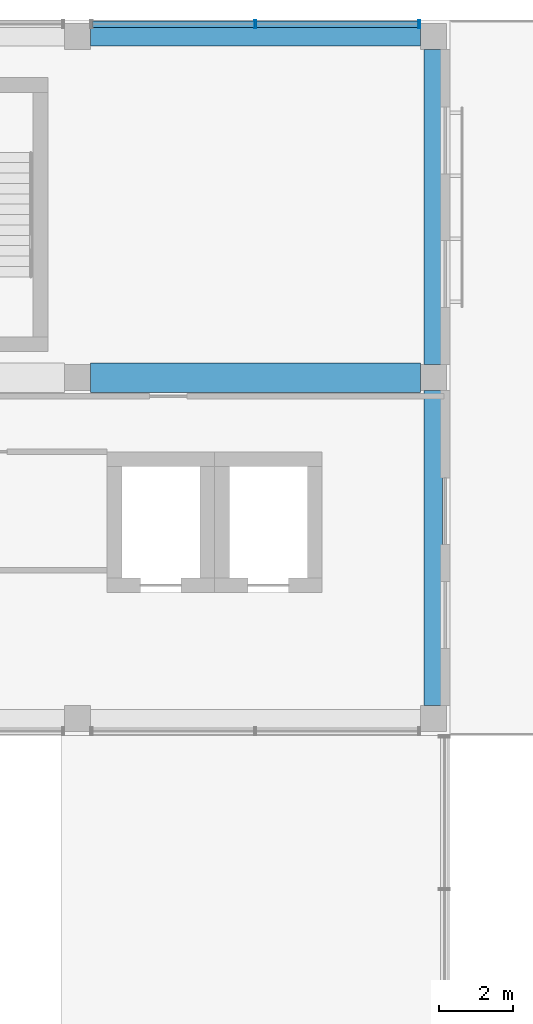
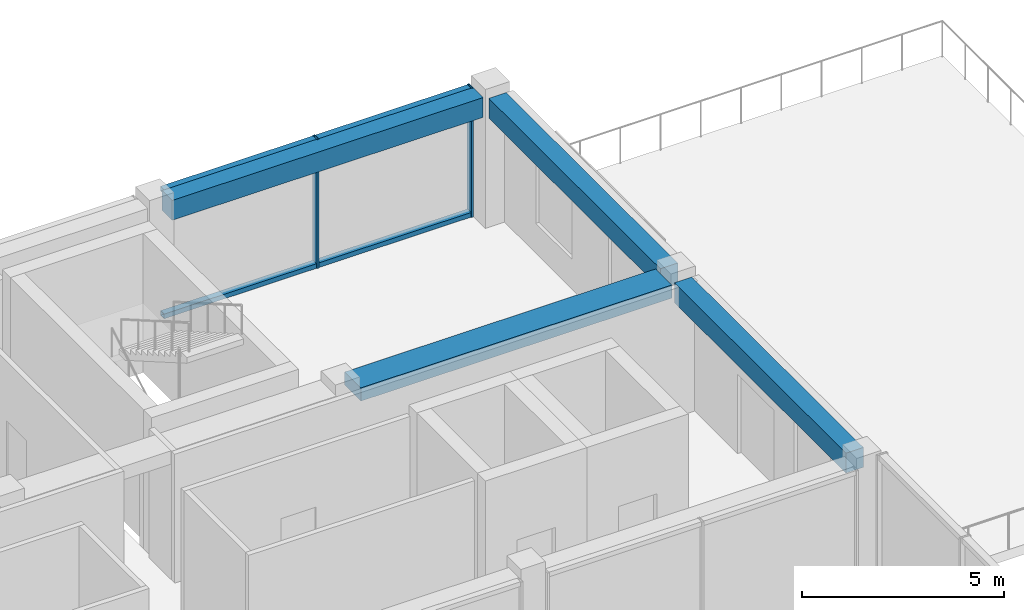
# One storey, part 16 of 27: 6 members, 4 beams, 1 element without a shape of its own.
"""IFC4 building model written with IfcOpenShell, lengths in metres."""

from ifc_helpers import new_model, si_unit, direction, frame, origin, origin_2d, place, context, subcontext, project, spatial, rectangle, hollow_rectangle, extrude, material, layer, layer_set, material_profile, profile_set, type_object, element, aggregate, save


model = new_model("IFC4")

# Units and contexts
model_context = context("Model", 3, precision=1e-05, world=origin(), true_north=direction((0.0, 1.0)))
body_context = subcontext(model_context, "Body", "Model", "MODEL_VIEW")
ifc_project = project(units=[si_unit("LENGTHUNIT", "METRE"), si_unit("AREAUNIT", "SQUARE_METRE"), si_unit("VOLUMEUNIT", "CUBIC_METRE"), si_unit("PLANEANGLEUNIT", "RADIAN"), si_unit("MASSUNIT", "GRAM", prefix="KILO")], contexts=[model_context])

# Site, building, storey
site_placement = place(None, origin())
site = spatial("IfcSite", under=ifc_project, at=site_placement, CompositionType="ELEMENT")
building_placement = place(site_placement, origin())
building = spatial("IfcBuilding", under=site, at=building_placement, Name="Nzadi Deep Aquarium and Research Tower", CompositionType="ELEMENT")
storey_placement = place(building_placement, frame((0.0, 0.0, 69.699951171875)))
storey = spatial("IfcBuildingStorey", under=building, at=storey_placement, Name="L14", CompositionType="ELEMENT", Elevation=69.699951171875)

# Curtain wall, members
ifc_material_1 = material(Name="Aluminium unitised frame deep", Category="aluminium")
ifc_layer = layer(ifc_material_1, 0.22509765625)
ifc_layer_set = layer_set([ifc_layer], Name="Aluminium unitised frame deep")
curtain_wall_type = type_object("IfcCurtainWallType", Name="Curtain wall Unitised Deep 225", PredefinedType="NOTDEFINED", material=ifc_layer_set)
curtain_wall_placement = place(storey_placement, origin())
curtain_wall = element("IfcCurtainWall", 1, at=curtain_wall_placement, inside=storey, type_object=curtain_wall_type, Name="Unitised curtain wall blade B north L14", PredefinedType="NOTDEFINED")
ifc_material_2 = material(Name="Aluminium unitised frame deep", Category="aluminium")
ifc_material_profile_1 = material_profile(ifc_material_2, hollow_rectangle(XDim=0.22509765625, YDim=0.06005859375, WallThickness=0.0048828125, at=origin_2d()))
ifc_profile_set_1 = profile_set([ifc_material_profile_1], Name="Aluminium unitised frame deep")
member_type_1 = type_object("IfcMemberType", Name="Mullion 60x225 Unitised Deep", PredefinedType="MULLION", material=ifc_profile_set_1)
member_1_placement = place(storey_placement, frame((33.60009765625, 46.33740234375, 0.0), z_axis=(0.0, 0.0, 1.0), x_axis=(0.0, 1.0, 0.0)))
member_1 = element("IfcMember", 2, at=member_1_placement, type_object=member_type_1, Name="CW183 mullion 2", PredefinedType="MULLION", context=body_context, shape_type="SweptSolid", body=[
    extrude(hollow_rectangle(XDim=0.22509765625, YDim=0.06005859375, WallThickness=0.0048828125, at=origin_2d()), origin(), (0.0, 0.0, 1.0), 3.900146484375),
])
member_2_placement = place(storey_placement, frame((38.02001953125, 46.33740234375, 0.0), z_axis=(0.0, 0.0, 1.0), x_axis=(0.0, 1.0, 0.0)))
member_2 = element("IfcMember", 3, at=member_2_placement, type_object=member_type_1, Name="CW183 mullion 3", PredefinedType="MULLION", context=body_context, shape_type="SweptSolid", body=[
    extrude(hollow_rectangle(XDim=0.22509765625, YDim=0.06005859375, WallThickness=0.0048828125, at=origin_2d()), origin(), (0.0, 0.0, 1.0), 3.900146484375),
])

# Beams
ifc_material_3 = material(Name="Concrete C35/45", Category="concrete")
ifc_material_profile_2 = material_profile(ifc_material_3, rectangle(XDim=0.5, YDim=0.60009765625, at=origin_2d()))
ifc_profile_set_2 = profile_set([ifc_material_profile_2], Name="Concrete C35/45")
beam_type_1 = type_object("IfcBeamType", Name="RC 500x600", PredefinedType="BEAM", material=ifc_profile_set_2)
beam_1_placement = place(storey_placement, frame((29.14990234375, 46.0, 3.60009765625), z_axis=(1.0, 0.0, 0.0), x_axis=(0.0, 1.0, 0.0)))
element("IfcBeam", 4, at=beam_1_placement, inside=storey, type_object=beam_type_1, Name="B-Z1-L14-L6-4", PredefinedType="BEAM", context=body_context, shape_type="SweptSolid", body=[
    extrude(rectangle(XDim=0.5, YDim=0.60009765625, at=origin_2d()), origin(), (0.0, 0.0, 1.0), 8.900146484375),
])
for number, where, z_axis, x_axis, name in (
    (5, (38.39990234375, 27.949951171875, 3.60009765625), (0.0, 1.0, 0.0), (-1.0, 0.0, 0.0), "B-Z1-L14-CE-1-4"),
    (6, (38.39990234375, 37.14990234375, 3.60009765625), (0.0, 1.0, 0.0), (-1.0, 0.0, 0.0), "B-Z1-L14-CE-2-4"),
):
    element("IfcBeam", number, at=place(storey_placement, frame(where, z_axis=z_axis, x_axis=x_axis)), inside=storey, type_object=beam_type_1, Name=name, PredefinedType="BEAM", context=body_context, shape_type="SweptSolid", body=[
        extrude(rectangle(XDim=0.5, YDim=0.60009765625, at=origin_2d()), origin(), (0.0, 0.0, 1.0), 8.5),
    ])
ifc_material_4 = material(Name="Concrete C35/45", Category="concrete")
ifc_material_profile_3 = material_profile(ifc_material_4, rectangle(XDim=0.800048828125, YDim=0.39990234375, at=origin_2d()))
ifc_profile_set_3 = profile_set([ifc_material_profile_3], Name="Concrete C35/45")
beam_type_2 = type_object("IfcBeamType", Name="RC 800x400", PredefinedType="BEAM", material=ifc_profile_set_3)
beam_2_placement = place(storey_placement, frame((29.14990234375, 36.800048828125, 3.699951171875), z_axis=(1.0, 0.0, 0.0), x_axis=(0.0, 1.0, 0.0)))
element("IfcBeam", 7, at=beam_2_placement, inside=storey, type_object=beam_type_2, Name="B-Z1-L14-L5-4", PredefinedType="BEAM", context=body_context, shape_type="SweptSolid", body=[
    extrude(rectangle(XDim=0.800048828125, YDim=0.39990234375, at=origin_2d()), origin(), (0.0, 0.0, 1.0), 8.900146484375),
])

# Member
ifc_material_5 = material(Name="Aluminium unitised frame deep", Category="aluminium")
ifc_material_profile_4 = material_profile(ifc_material_5, hollow_rectangle(XDim=0.179931640625, YDim=0.139892578125, WallThickness=0.0048828125, at=origin_2d()))
ifc_profile_set_4 = profile_set([ifc_material_profile_4], Name="Aluminium unitised frame deep")
member_type_2 = type_object("IfcMemberType", Name="Transom 140x180 Unitised Deep", PredefinedType="MULLION", material=ifc_profile_set_4)
member_3_placement = place(storey_placement, frame((29.2099609375, 46.33740234375, 0.070068359375), z_axis=(1.0, 0.0, 0.0), x_axis=(0.0, 1.0, 0.0)))
member_3 = element("IfcMember", 8, at=member_3_placement, type_object=member_type_2, Name="CW183 transom 1.1", PredefinedType="MULLION", context=body_context, shape_type="SweptSolid", body=[
    extrude(hollow_rectangle(XDim=0.179931640625, YDim=0.139892578125, WallThickness=0.0048828125, at=origin_2d()), origin(), (0.0, 0.0, 1.0), 4.360107421875),
])

member_4_placement = place(storey_placement, frame((29.2099609375, 46.33740234375, 3.830078125), z_axis=(1.0, 0.0, 0.0), x_axis=(0.0, 1.0, 0.0)))
member_4 = element("IfcMember", 9, at=member_4_placement, type_object=member_type_2, Name="CW183 transom 1.2", PredefinedType="MULLION", context=body_context, shape_type="SweptSolid", body=[
    extrude(hollow_rectangle(XDim=0.179931640625, YDim=0.139892578125, WallThickness=0.0048828125, at=origin_2d()), origin(), (0.0, 0.0, 1.0), 4.360107421875),
])

member_5_placement = place(storey_placement, frame((33.6298828125, 46.33740234375, 0.070068359375), z_axis=(1.0, 0.0, 0.0), x_axis=(0.0, 1.0, 0.0)))
member_5 = element("IfcMember", 10, at=member_5_placement, type_object=member_type_2, Name="CW183 transom 2.1", PredefinedType="MULLION", context=body_context, shape_type="SweptSolid", body=[
    extrude(hollow_rectangle(XDim=0.179931640625, YDim=0.139892578125, WallThickness=0.0048828125, at=origin_2d()), origin(), (0.0, 0.0, 1.0), 4.360107421875),
])

member_6_placement = place(storey_placement, frame((33.6298828125, 46.33740234375, 3.830078125), z_axis=(1.0, 0.0, 0.0), x_axis=(0.0, 1.0, 0.0)))
member_6 = element("IfcMember", 11, at=member_6_placement, type_object=member_type_2, Name="CW183 transom 2.2", PredefinedType="MULLION", context=body_context, shape_type="SweptSolid", body=[
    extrude(hollow_rectangle(XDim=0.179931640625, YDim=0.139892578125, WallThickness=0.0048828125, at=origin_2d()), origin(), (0.0, 0.0, 1.0), 4.360107421875),
])

aggregate(curtain_wall, [member_1, member_2, member_3, member_4, member_5, member_6])

save(model, "model.ifc")
